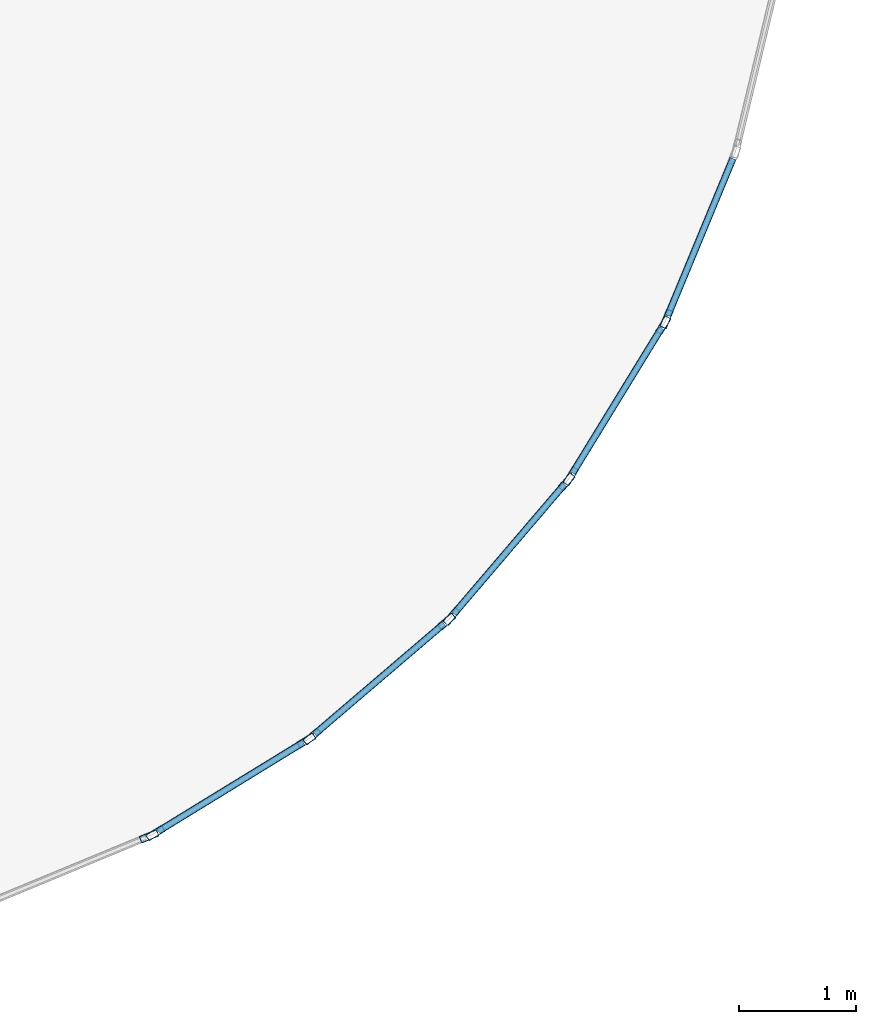
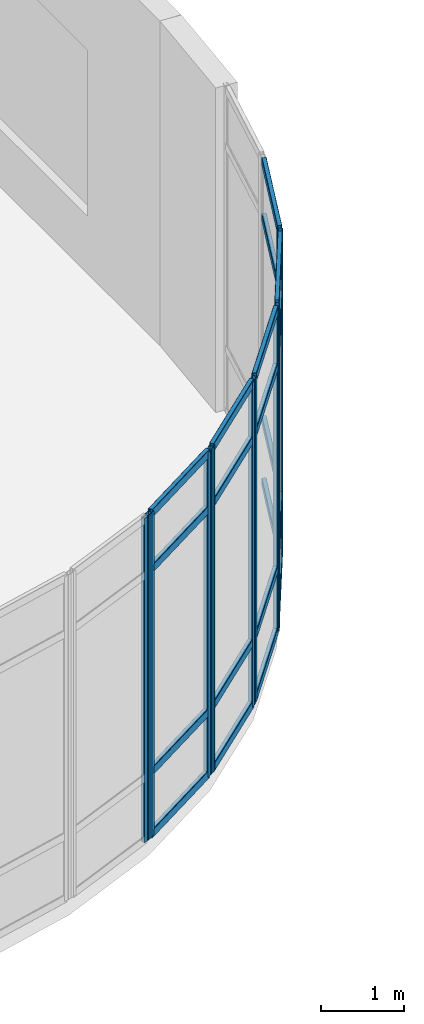
# One storey, part 77 of 120: 30 members, 6 elements without a shape of their own.
"""IFC4 building model written with IfcOpenShell, lengths in metres."""

from ifc_helpers import new_model, si_unit, derived_unit, direction, frame, origin, origin_2d, place, context, subcontext, project, spatial, hollow_rectangle, extrude, material, layer, layer_set, material_profile, profile_set, type_object, element, aggregate, save


model = new_model("IFC4")

# Units and contexts
model_context = context("Model", 3, precision=1e-05, world=origin(), true_north=direction((0.0, 1.0)))
body_context = subcontext(model_context, "Body", "Model", "MODEL_VIEW")
ifc_project = project(units=[si_unit("LENGTHUNIT", "METRE"), si_unit("AREAUNIT", "SQUARE_METRE"), si_unit("VOLUMEUNIT", "CUBIC_METRE"), si_unit("PLANEANGLEUNIT", "RADIAN"), si_unit("MASSUNIT", "GRAM", prefix="KILO"), derived_unit("THERMALTRANSMITTANCEUNIT", [(si_unit("MASSUNIT", "GRAM", prefix="KILO"), 1), (si_unit("TIMEUNIT", "SECOND"), -3), (si_unit("THERMODYNAMICTEMPERATUREUNIT", "KELVIN"), -1)])], contexts=[model_context])

# Site, building, storey
site_placement = place(None, origin())
site = spatial("IfcSite", under=ifc_project, at=site_placement, CompositionType="ELEMENT")
building_placement = place(site_placement, origin())
building = spatial("IfcBuilding", under=site, at=building_placement, Name="Qinzheling Arcade Emporium", CompositionType="ELEMENT")
storey_placement = place(building_placement, frame((0.0, 0.0, 11.39990234375)))
storey = spatial("IfcBuildingStorey", under=building, at=storey_placement, Name="L03", CompositionType="ELEMENT", Elevation=11.39990234375)

# Curtain wall, member
ifc_material_1 = material(Name="Anodised aluminium and solar-control double glazing", Category="aluminium")
ifc_layer = layer(ifc_material_1, 0.159912109375, Name="Anodised aluminium and solar-control double glazing", Category="aluminium")
ifc_layer_set = layer_set([ifc_layer], Name="Anodised aluminium and solar-control double glazing")
curtain_wall_type = type_object("IfcCurtainWallType", Name="Curved Ribbon Sales Curtain Wall", PredefinedType="NOTDEFINED", material=ifc_layer_set)
curtain_wall_1_placement = place(storey_placement, origin())
curtain_wall_1 = element("IfcCurtainWall", 1, at=curtain_wall_1_placement, inside=storey, type_object=curtain_wall_type, Name="Curtain Wall CW-L03-193", PredefinedType="NOTDEFINED")
ifc_material_2 = material(Name="Anodised aluminium 6063-T6", Category="aluminium")
ifc_material_profile_1 = material_profile(ifc_material_2, hollow_rectangle(XDim=0.06005859375, YDim=0.159912109375, WallThickness=0.00390625, InnerFilletRadius=0.00390625, OuterFilletRadius=0.008056640625, at=origin_2d()), Name="RHS 160x60x4", Category="aluminium")
ifc_profile_set_1 = profile_set([ifc_material_profile_1], Name="Anodised aluminium 6063-T6")
member_type_1 = type_object("IfcMemberType", Name="Curtain Wall Mullion RHS160x60", PredefinedType="MULLION", material=ifc_profile_set_1)
member_1_placement = place(storey_placement, frame((146.821533203125, 79.28759765625, 0.0), z_axis=(0.0, 0.0, 1.0), x_axis=(0.923791586038, -0.382895684967, 0.0)))
member_1 = element("IfcMember", 2, at=member_1_placement, type_object=member_type_1, Name="CW02 mullion 2", PredefinedType="MULLION", context=body_context, shape_type="SweptSolid", body=[
    extrude(hollow_rectangle(XDim=0.06005859375, YDim=0.159912109375, WallThickness=0.00390625, InnerFilletRadius=0.00390625, OuterFilletRadius=0.008056640625, at=origin_2d()), origin(), (0.0, 0.0, 1.0), 4.7900390625),
])

# Curtain wall, members
curtain_wall_2_placement = place(storey_placement, origin())
curtain_wall_2 = element("IfcCurtainWall", 3, at=curtain_wall_2_placement, inside=storey, type_object=curtain_wall_type, Name="Curtain Wall CW-L03-194", PredefinedType="NOTDEFINED")
member_2_placement = place(storey_placement, frame((146.79443359375, 79.234375, 0.0), z_axis=(0.0, 0.0, 1.0), x_axis=(0.852619568756, -0.522532172191, 0.0)))
member_2 = element("IfcMember", 4, at=member_2_placement, type_object=member_type_1, Name="CW02 mullion 1", PredefinedType="MULLION", context=body_context, shape_type="SweptSolid", body=[
    extrude(hollow_rectangle(XDim=0.06005859375, YDim=0.159912109375, WallThickness=0.00390625, InnerFilletRadius=0.00390625, OuterFilletRadius=0.008056640625, at=origin_2d()), origin(), (0.0, 0.0, 1.0), 4.7900390625),
])
member_3_placement = place(storey_placement, frame((146.005615234375, 77.947509765625, 0.0), z_axis=(0.0, 0.0, 1.0), x_axis=(0.852619568756, -0.522532172191, 0.0)))
member_3 = element("IfcMember", 5, at=member_3_placement, type_object=member_type_1, Name="CW02 mullion 2", PredefinedType="MULLION", context=body_context, shape_type="SweptSolid", body=[
    extrude(hollow_rectangle(XDim=0.06005859375, YDim=0.159912109375, WallThickness=0.00390625, InnerFilletRadius=0.00390625, OuterFilletRadius=0.008056640625, at=origin_2d()), origin(), (0.0, 0.0, 1.0), 4.7900390625),
])

curtain_wall_3_placement = place(storey_placement, origin())
curtain_wall_3 = element("IfcCurtainWall", 6, at=curtain_wall_3_placement, inside=storey, type_object=curtain_wall_type, Name="Curtain Wall CW-L03-195", PredefinedType="NOTDEFINED")
member_4_placement = place(storey_placement, frame((145.970458984375, 77.899169921875, 0.0), z_axis=(0.0, 0.0, 1.0), x_axis=(0.760380235773, -0.649478172878, 0.0)))
member_4 = element("IfcMember", 7, at=member_4_placement, type_object=member_type_1, Name="CW02 mullion 1", PredefinedType="MULLION", context=body_context, shape_type="SweptSolid", body=[
    extrude(hollow_rectangle(XDim=0.06005859375, YDim=0.159912109375, WallThickness=0.00390625, InnerFilletRadius=0.00390625, OuterFilletRadius=0.008056640625, at=origin_2d()), origin(), (0.0, 0.0, 1.0), 4.7900390625),
])
member_5_placement = place(storey_placement, frame((144.990478515625, 76.751708984375, 0.0), z_axis=(0.0, 0.0, 1.0), x_axis=(0.760380235773, -0.649478172878, 0.0)))
member_5 = element("IfcMember", 8, at=member_5_placement, type_object=member_type_1, Name="CW02 mullion 2", PredefinedType="MULLION", context=body_context, shape_type="SweptSolid", body=[
    extrude(hollow_rectangle(XDim=0.06005859375, YDim=0.159912109375, WallThickness=0.00390625, InnerFilletRadius=0.00390625, OuterFilletRadius=0.008056640625, at=origin_2d()), origin(), (0.0, 0.0, 1.0), 4.7900390625),
])

curtain_wall_4_placement = place(storey_placement, origin())
curtain_wall_4 = element("IfcCurtainWall", 9, at=curtain_wall_4_placement, inside=storey, type_object=curtain_wall_type, Name="Curtain Wall CW-L03-196", PredefinedType="NOTDEFINED")
member_6_placement = place(storey_placement, frame((144.9482421875, 76.70947265625, 0.0), z_axis=(0.0, 0.0, 1.0), x_axis=(0.649478172878, -0.760380235773, 0.0)))
member_6 = element("IfcMember", 10, at=member_6_placement, type_object=member_type_1, Name="CW02 mullion 1", PredefinedType="MULLION", context=body_context, shape_type="SweptSolid", body=[
    extrude(hollow_rectangle(XDim=0.06005859375, YDim=0.159912109375, WallThickness=0.00390625, InnerFilletRadius=0.00390625, OuterFilletRadius=0.008056640625, at=origin_2d()), origin(), (0.0, 0.0, 1.0), 4.7900390625),
])
member_7_placement = place(storey_placement, frame((143.80078125, 75.7294921875, 0.0), z_axis=(0.0, 0.0, 1.0), x_axis=(0.649478172878, -0.760380235773, 0.0)))
member_7 = element("IfcMember", 11, at=member_7_placement, type_object=member_type_1, Name="CW02 mullion 2", PredefinedType="MULLION", context=body_context, shape_type="SweptSolid", body=[
    extrude(hollow_rectangle(XDim=0.06005859375, YDim=0.159912109375, WallThickness=0.00390625, InnerFilletRadius=0.00390625, OuterFilletRadius=0.008056640625, at=origin_2d()), origin(), (0.0, 0.0, 1.0), 4.7900390625),
])

curtain_wall_5_placement = place(storey_placement, origin())
curtain_wall_5 = element("IfcCurtainWall", 12, at=curtain_wall_5_placement, inside=storey, type_object=curtain_wall_type, Name="Curtain Wall CW-L03-197", PredefinedType="NOTDEFINED")
member_8_placement = place(storey_placement, frame((143.75244140625, 75.6943359375, 0.0), z_axis=(0.0, 0.0, 1.0), x_axis=(0.522532172191, -0.852619568756, 0.0)))
member_8 = element("IfcMember", 13, at=member_8_placement, type_object=member_type_1, Name="CW02 mullion 1", PredefinedType="MULLION", context=body_context, shape_type="SweptSolid", body=[
    extrude(hollow_rectangle(XDim=0.06005859375, YDim=0.159912109375, WallThickness=0.00390625, InnerFilletRadius=0.00390625, OuterFilletRadius=0.008056640625, at=origin_2d()), origin(), (0.0, 0.0, 1.0), 4.7900390625),
])
member_9_placement = place(storey_placement, frame((142.465576171875, 74.90576171875, 0.0), z_axis=(0.0, 0.0, 1.0), x_axis=(0.522532172191, -0.852619568756, 0.0)))
member_9 = element("IfcMember", 14, at=member_9_placement, type_object=member_type_1, Name="CW02 mullion 2", PredefinedType="MULLION", context=body_context, shape_type="SweptSolid", body=[
    extrude(hollow_rectangle(XDim=0.06005859375, YDim=0.159912109375, WallThickness=0.00390625, InnerFilletRadius=0.00390625, OuterFilletRadius=0.008056640625, at=origin_2d()), origin(), (0.0, 0.0, 1.0), 4.7900390625),
])

# Curtain wall, member
curtain_wall_6_placement = place(storey_placement, origin())
curtain_wall_6 = element("IfcCurtainWall", 15, at=curtain_wall_6_placement, inside=storey, type_object=curtain_wall_type, Name="Curtain Wall CW-L03-198", PredefinedType="NOTDEFINED")
member_10_placement = place(storey_placement, frame((142.412353515625, 74.87841796875, 0.0), z_axis=(0.0, 0.0, 1.0), x_axis=(0.382895684967, -0.923791586038, 0.0)))
member_10 = element("IfcMember", 16, at=member_10_placement, type_object=member_type_1, Name="CW02 mullion 1", PredefinedType="MULLION", context=body_context, shape_type="SweptSolid", body=[
    extrude(hollow_rectangle(XDim=0.06005859375, YDim=0.159912109375, WallThickness=0.00390625, InnerFilletRadius=0.00390625, OuterFilletRadius=0.008056640625, at=origin_2d()), origin(), (0.0, 0.0, 1.0), 4.7900390625),
])
aggregate(curtain_wall_6, [member_10])

# Member
ifc_material_profile_2 = material_profile(ifc_material_2, hollow_rectangle(XDim=0.06005859375, YDim=0.1201171875, WallThickness=0.00390625, InnerFilletRadius=0.00390625, OuterFilletRadius=0.008056640625, at=origin_2d()), Name="RHS 120x60x4", Category="aluminium")
ifc_profile_set_2 = profile_set([ifc_material_profile_2], Name="Anodised aluminium 6063-T6")
member_type_2 = type_object("IfcMemberType", Name="Curtain Wall Transom RHS120x60", PredefinedType="USERDEFINED", material=ifc_profile_set_2)
member_11_placement = place(storey_placement, frame((147.387939453125, 80.654541015625, 0.030029296875), z_axis=(-0.382832738774, -0.923817673636, 0.0), x_axis=(0.923817673636, -0.382832738774, 0.0)))
member_11 = element("IfcMember", 17, at=member_11_placement, type_object=member_type_2, Name="CW02 transom 1.1", ObjectType="TRANSOM", PredefinedType="USERDEFINED", context=body_context, shape_type="SweptSolid", body=[
    extrude(hollow_rectangle(XDim=0.06005859375, YDim=0.1201171875, WallThickness=0.00390625, InnerFilletRadius=0.00390625, OuterFilletRadius=0.008056640625, at=origin_2d()), origin(), (0.0, 0.0, 1.0), 1.449462890625),
])

member_12_placement = place(storey_placement, frame((147.387939453125, 80.654541015625, 0.9501953125), z_axis=(-0.382832738774, -0.923817673636, 0.0), x_axis=(0.923817673636, -0.382832738774, 0.0)))
member_12 = element("IfcMember", 18, at=member_12_placement, type_object=member_type_2, Name="CW02 transom 1.2", ObjectType="TRANSOM", PredefinedType="USERDEFINED", context=body_context, shape_type="SweptSolid", body=[
    extrude(hollow_rectangle(XDim=0.06005859375, YDim=0.1201171875, WallThickness=0.00390625, InnerFilletRadius=0.00390625, OuterFilletRadius=0.008056640625, at=origin_2d()), origin(), (0.0, 0.0, 1.0), 1.449462890625),
])

member_13_placement = place(storey_placement, frame((147.387939453125, 80.654541015625, 3.940185546875), z_axis=(-0.382832738774, -0.923817673636, 0.0), x_axis=(0.923817673636, -0.382832738774, 0.0)))
member_13 = element("IfcMember", 19, at=member_13_placement, type_object=member_type_2, Name="CW02 transom 1.3", ObjectType="TRANSOM", PredefinedType="USERDEFINED", context=body_context, shape_type="SweptSolid", body=[
    extrude(hollow_rectangle(XDim=0.06005859375, YDim=0.1201171875, WallThickness=0.00390625, InnerFilletRadius=0.00390625, OuterFilletRadius=0.008056640625, at=origin_2d()), origin(), (0.0, 0.0, 1.0), 1.449462890625),
])

member_14_placement = place(storey_placement, frame((147.387939453125, 80.654541015625, 4.760009765625), z_axis=(-0.382832738774, -0.923817673636, 0.0), x_axis=(0.923817673636, -0.382832738774, 0.0)))
member_14 = element("IfcMember", 20, at=member_14_placement, type_object=member_type_2, Name="CW02 transom 1.4", ObjectType="TRANSOM", PredefinedType="USERDEFINED", context=body_context, shape_type="SweptSolid", body=[
    extrude(hollow_rectangle(XDim=0.06005859375, YDim=0.1201171875, WallThickness=0.00390625, InnerFilletRadius=0.00390625, OuterFilletRadius=0.008056640625, at=origin_2d()), origin(), (0.0, 0.0, 1.0), 1.449462890625),
])

aggregate(curtain_wall_1, [member_1, member_11, member_12, member_13, member_14])

member_15_placement = place(storey_placement, frame((146.778564453125, 79.208740234375, 0.030029296875), z_axis=(-0.522573908945, -0.852593988772, 0.0), x_axis=(0.852593988772, -0.522573908945, 0.0)))
member_15 = element("IfcMember", 21, at=member_15_placement, type_object=member_type_2, Name="CW02 transom 1.1", ObjectType="TRANSOM", PredefinedType="USERDEFINED", context=body_context, shape_type="SweptSolid", body=[
    extrude(hollow_rectangle(XDim=0.06005859375, YDim=0.1201171875, WallThickness=0.00390625, InnerFilletRadius=0.00390625, OuterFilletRadius=0.008056640625, at=origin_2d()), origin(), (0.0, 0.0, 1.0), 1.44921875),
])

member_16_placement = place(storey_placement, frame((146.778564453125, 79.208740234375, 0.9501953125), z_axis=(-0.522573908945, -0.852593988772, 0.0), x_axis=(0.852593988772, -0.522573908945, 0.0)))
member_16 = element("IfcMember", 22, at=member_16_placement, type_object=member_type_2, Name="CW02 transom 1.2", ObjectType="TRANSOM", PredefinedType="USERDEFINED", context=body_context, shape_type="SweptSolid", body=[
    extrude(hollow_rectangle(XDim=0.06005859375, YDim=0.1201171875, WallThickness=0.00390625, InnerFilletRadius=0.00390625, OuterFilletRadius=0.008056640625, at=origin_2d()), origin(), (0.0, 0.0, 1.0), 1.44921875),
])

member_17_placement = place(storey_placement, frame((146.778564453125, 79.208740234375, 3.940185546875), z_axis=(-0.522573908945, -0.852593988772, 0.0), x_axis=(0.852593988772, -0.522573908945, 0.0)))
member_17 = element("IfcMember", 23, at=member_17_placement, type_object=member_type_2, Name="CW02 transom 1.3", ObjectType="TRANSOM", PredefinedType="USERDEFINED", context=body_context, shape_type="SweptSolid", body=[
    extrude(hollow_rectangle(XDim=0.06005859375, YDim=0.1201171875, WallThickness=0.00390625, InnerFilletRadius=0.00390625, OuterFilletRadius=0.008056640625, at=origin_2d()), origin(), (0.0, 0.0, 1.0), 1.44921875),
])

member_18_placement = place(storey_placement, frame((146.778564453125, 79.208740234375, 4.760009765625), z_axis=(-0.522573908945, -0.852593988772, 0.0), x_axis=(0.852593988772, -0.522573908945, 0.0)))
member_18 = element("IfcMember", 24, at=member_18_placement, type_object=member_type_2, Name="CW02 transom 1.4", ObjectType="TRANSOM", PredefinedType="USERDEFINED", context=body_context, shape_type="SweptSolid", body=[
    extrude(hollow_rectangle(XDim=0.06005859375, YDim=0.1201171875, WallThickness=0.00390625, InnerFilletRadius=0.00390625, OuterFilletRadius=0.008056640625, at=origin_2d()), origin(), (0.0, 0.0, 1.0), 1.44921875),
])

aggregate(curtain_wall_2, [member_2, member_3, member_15, member_16, member_17, member_18])

member_19_placement = place(storey_placement, frame((145.950927734375, 77.87646484375, 0.030029296875), z_axis=(-0.649402631716, -0.760444752707, 0.0), x_axis=(0.760444752707, -0.649402631716, 0.0)))
member_19 = element("IfcMember", 25, at=member_19_placement, type_object=member_type_2, Name="CW02 transom 1.1", ObjectType="TRANSOM", PredefinedType="USERDEFINED", context=body_context, shape_type="SweptSolid", body=[
    extrude(hollow_rectangle(XDim=0.06005859375, YDim=0.1201171875, WallThickness=0.00390625, InnerFilletRadius=0.00390625, OuterFilletRadius=0.008056640625, at=origin_2d()), origin(), (0.0, 0.0, 1.0), 1.448974609375),
])

member_20_placement = place(storey_placement, frame((145.950927734375, 77.87646484375, 0.9501953125), z_axis=(-0.649402631716, -0.760444752707, 0.0), x_axis=(0.760444752707, -0.649402631716, 0.0)))
member_20 = element("IfcMember", 26, at=member_20_placement, type_object=member_type_2, Name="CW02 transom 1.2", ObjectType="TRANSOM", PredefinedType="USERDEFINED", context=body_context, shape_type="SweptSolid", body=[
    extrude(hollow_rectangle(XDim=0.06005859375, YDim=0.1201171875, WallThickness=0.00390625, InnerFilletRadius=0.00390625, OuterFilletRadius=0.008056640625, at=origin_2d()), origin(), (0.0, 0.0, 1.0), 1.448974609375),
])

member_21_placement = place(storey_placement, frame((145.950927734375, 77.87646484375, 3.940185546875), z_axis=(-0.649402631716, -0.760444752707, 0.0), x_axis=(0.760444752707, -0.649402631716, 0.0)))
member_21 = element("IfcMember", 27, at=member_21_placement, type_object=member_type_2, Name="CW02 transom 1.3", ObjectType="TRANSOM", PredefinedType="USERDEFINED", context=body_context, shape_type="SweptSolid", body=[
    extrude(hollow_rectangle(XDim=0.06005859375, YDim=0.1201171875, WallThickness=0.00390625, InnerFilletRadius=0.00390625, OuterFilletRadius=0.008056640625, at=origin_2d()), origin(), (0.0, 0.0, 1.0), 1.448974609375),
])

member_22_placement = place(storey_placement, frame((145.950927734375, 77.87646484375, 4.760009765625), z_axis=(-0.649402631716, -0.760444752707, 0.0), x_axis=(0.760444752707, -0.649402631716, 0.0)))
member_22 = element("IfcMember", 28, at=member_22_placement, type_object=member_type_2, Name="CW02 transom 1.4", ObjectType="TRANSOM", PredefinedType="USERDEFINED", context=body_context, shape_type="SweptSolid", body=[
    extrude(hollow_rectangle(XDim=0.06005859375, YDim=0.1201171875, WallThickness=0.00390625, InnerFilletRadius=0.00390625, OuterFilletRadius=0.008056640625, at=origin_2d()), origin(), (0.0, 0.0, 1.0), 1.448974609375),
])

aggregate(curtain_wall_3, [member_4, member_5, member_19, member_20, member_21, member_22])

member_23_placement = place(storey_placement, frame((144.92529296875, 76.68994140625, 0.030029296875), z_axis=(-0.760373678193, -0.649485850124, 0.0), x_axis=(0.649485850124, -0.760373678193, 0.0)))
member_23 = element("IfcMember", 29, at=member_23_placement, type_object=member_type_2, Name="CW02 transom 1.1", ObjectType="TRANSOM", PredefinedType="USERDEFINED", context=body_context, shape_type="SweptSolid", body=[
    extrude(hollow_rectangle(XDim=0.06005859375, YDim=0.1201171875, WallThickness=0.00390625, InnerFilletRadius=0.00390625, OuterFilletRadius=0.008056640625, at=origin_2d()), origin(), (0.0, 0.0, 1.0), 1.44873046875),
])

member_24_placement = place(storey_placement, frame((144.92529296875, 76.68994140625, 0.9501953125), z_axis=(-0.760373678193, -0.649485850124, 0.0), x_axis=(0.649485850124, -0.760373678193, 0.0)))
member_24 = element("IfcMember", 30, at=member_24_placement, type_object=member_type_2, Name="CW02 transom 1.2", ObjectType="TRANSOM", PredefinedType="USERDEFINED", context=body_context, shape_type="SweptSolid", body=[
    extrude(hollow_rectangle(XDim=0.06005859375, YDim=0.1201171875, WallThickness=0.00390625, InnerFilletRadius=0.00390625, OuterFilletRadius=0.008056640625, at=origin_2d()), origin(), (0.0, 0.0, 1.0), 1.44873046875),
])

member_25_placement = place(storey_placement, frame((144.92529296875, 76.68994140625, 3.940185546875), z_axis=(-0.760373678193, -0.649485850124, 0.0), x_axis=(0.649485850124, -0.760373678193, 0.0)))
member_25 = element("IfcMember", 31, at=member_25_placement, type_object=member_type_2, Name="CW02 transom 1.3", ObjectType="TRANSOM", PredefinedType="USERDEFINED", context=body_context, shape_type="SweptSolid", body=[
    extrude(hollow_rectangle(XDim=0.06005859375, YDim=0.1201171875, WallThickness=0.00390625, InnerFilletRadius=0.00390625, OuterFilletRadius=0.008056640625, at=origin_2d()), origin(), (0.0, 0.0, 1.0), 1.44873046875),
])

member_26_placement = place(storey_placement, frame((144.92529296875, 76.68994140625, 4.760009765625), z_axis=(-0.760373678193, -0.649485850124, 0.0), x_axis=(0.649485850124, -0.760373678193, 0.0)))
member_26 = element("IfcMember", 32, at=member_26_placement, type_object=member_type_2, Name="CW02 transom 1.4", ObjectType="TRANSOM", PredefinedType="USERDEFINED", context=body_context, shape_type="SweptSolid", body=[
    extrude(hollow_rectangle(XDim=0.06005859375, YDim=0.1201171875, WallThickness=0.00390625, InnerFilletRadius=0.00390625, OuterFilletRadius=0.008056640625, at=origin_2d()), origin(), (0.0, 0.0, 1.0), 1.44873046875),
])

aggregate(curtain_wall_4, [member_6, member_7, member_23, member_24, member_25, member_26])

member_27_placement = place(storey_placement, frame((143.726806640625, 75.6787109375, 0.030029296875), z_axis=(-0.852593988772, -0.522573908945, 0.0), x_axis=(0.522573908945, -0.852593988772, 0.0)))
member_27 = element("IfcMember", 33, at=member_27_placement, type_object=member_type_2, Name="CW02 transom 1.1", ObjectType="TRANSOM", PredefinedType="USERDEFINED", context=body_context, shape_type="SweptSolid", body=[
    extrude(hollow_rectangle(XDim=0.06005859375, YDim=0.1201171875, WallThickness=0.00390625, InnerFilletRadius=0.00390625, OuterFilletRadius=0.008056640625, at=origin_2d()), origin(), (0.0, 0.0, 1.0), 1.44921875),
])

member_28_placement = place(storey_placement, frame((143.726806640625, 75.6787109375, 0.9501953125), z_axis=(-0.852593988772, -0.522573908945, 0.0), x_axis=(0.522573908945, -0.852593988772, 0.0)))
member_28 = element("IfcMember", 34, at=member_28_placement, type_object=member_type_2, Name="CW02 transom 1.2", ObjectType="TRANSOM", PredefinedType="USERDEFINED", context=body_context, shape_type="SweptSolid", body=[
    extrude(hollow_rectangle(XDim=0.06005859375, YDim=0.1201171875, WallThickness=0.00390625, InnerFilletRadius=0.00390625, OuterFilletRadius=0.008056640625, at=origin_2d()), origin(), (0.0, 0.0, 1.0), 1.44921875),
])

member_29_placement = place(storey_placement, frame((143.726806640625, 75.6787109375, 3.940185546875), z_axis=(-0.852593988772, -0.522573908945, 0.0), x_axis=(0.522573908945, -0.852593988772, 0.0)))
member_29 = element("IfcMember", 35, at=member_29_placement, type_object=member_type_2, Name="CW02 transom 1.3", ObjectType="TRANSOM", PredefinedType="USERDEFINED", context=body_context, shape_type="SweptSolid", body=[
    extrude(hollow_rectangle(XDim=0.06005859375, YDim=0.1201171875, WallThickness=0.00390625, InnerFilletRadius=0.00390625, OuterFilletRadius=0.008056640625, at=origin_2d()), origin(), (0.0, 0.0, 1.0), 1.44921875),
])

member_30_placement = place(storey_placement, frame((143.726806640625, 75.6787109375, 4.760009765625), z_axis=(-0.852593988772, -0.522573908945, 0.0), x_axis=(0.522573908945, -0.852593988772, 0.0)))
member_30 = element("IfcMember", 36, at=member_30_placement, type_object=member_type_2, Name="CW02 transom 1.4", ObjectType="TRANSOM", PredefinedType="USERDEFINED", context=body_context, shape_type="SweptSolid", body=[
    extrude(hollow_rectangle(XDim=0.06005859375, YDim=0.1201171875, WallThickness=0.00390625, InnerFilletRadius=0.00390625, OuterFilletRadius=0.008056640625, at=origin_2d()), origin(), (0.0, 0.0, 1.0), 1.44921875),
])

aggregate(curtain_wall_5, [member_8, member_9, member_27, member_28, member_29, member_30])

save(model, "model.ifc")
